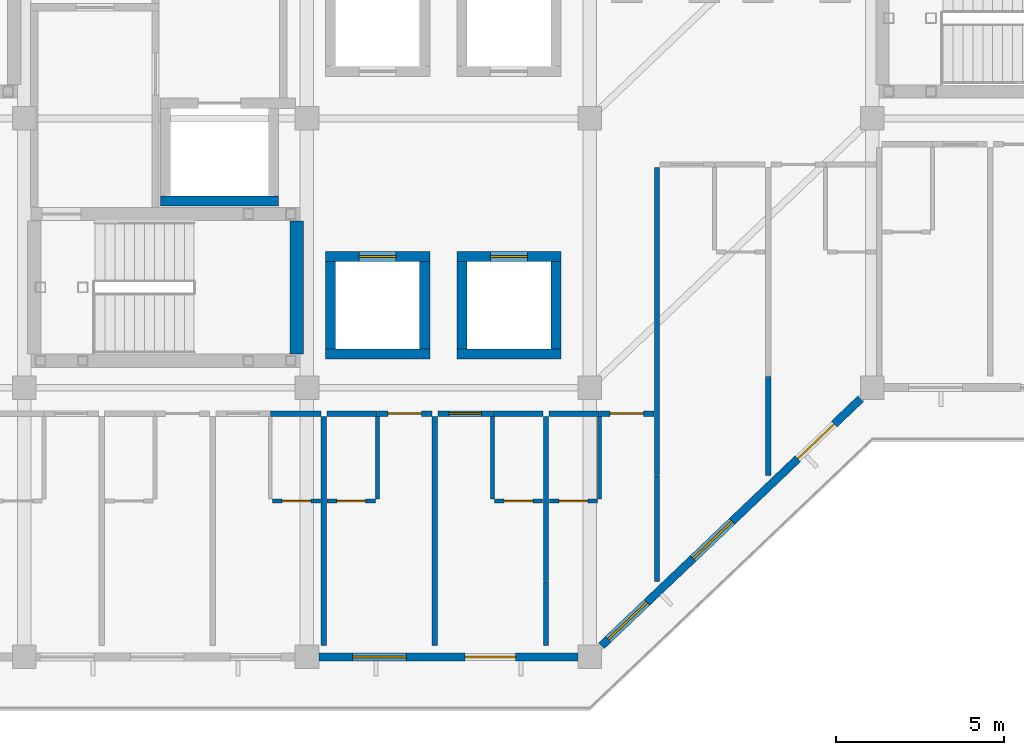
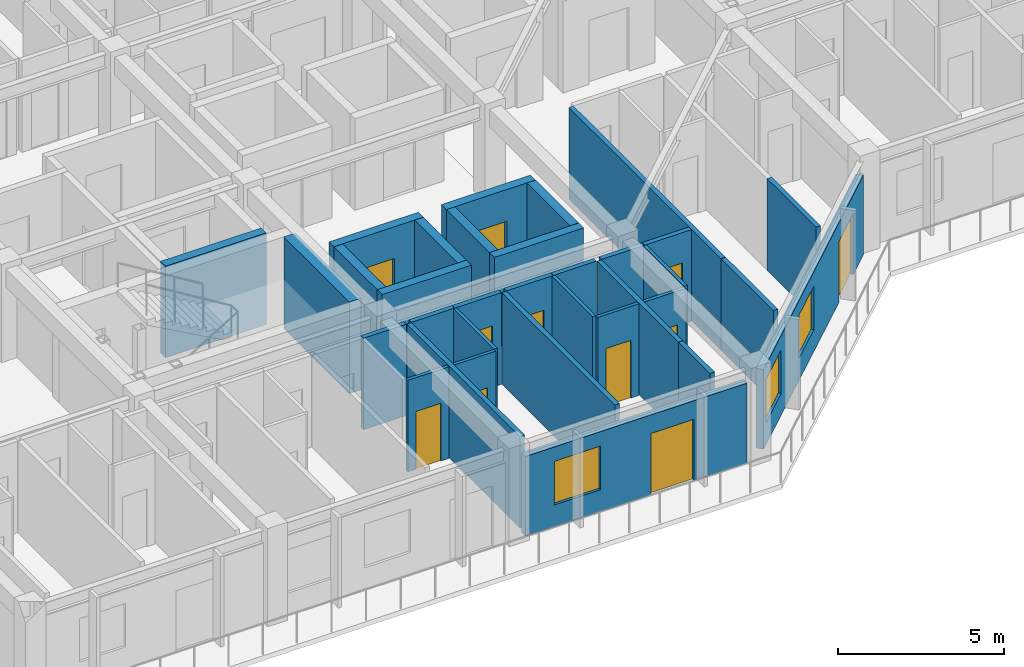
# One storey, part 5 of 16: 33 walls, 11 doors, 3 windows, 14 openings.
"""IFC4 building model written with IfcOpenShell, lengths in metres."""

from ifc_helpers import new_model, si_unit, direction, frame, frame_2d, origin, place, context, subcontext, project, spatial, rectangle, extrude, material, layer, layer_set, type_object, element, fill, save


model = new_model("IFC4")

# Units and contexts
model_context = context("Model", 3, precision=1e-05, world=origin(), true_north=direction((0.0, 1.0)))
body_context = subcontext(model_context, "Body", "Model", "MODEL_VIEW")
ifc_project = project(units=[si_unit("LENGTHUNIT", "METRE"), si_unit("AREAUNIT", "SQUARE_METRE"), si_unit("VOLUMEUNIT", "CUBIC_METRE"), si_unit("PLANEANGLEUNIT", "RADIAN"), si_unit("MASSUNIT", "GRAM", prefix="KILO")], contexts=[model_context])

# Site, building, storey
site_placement = place(None, origin())
site = spatial("IfcSite", under=ifc_project, at=site_placement, CompositionType="ELEMENT")
building_placement = place(site_placement, origin())
building = spatial("IfcBuilding", under=site, at=building_placement, Name="Naruveol Harbour Congress Hotel", CompositionType="ELEMENT")
storey_placement = place(building_placement, frame((0.0, 0.0, 28.800048828125)))
storey = spatial("IfcBuildingStorey", under=building, at=storey_placement, Name="L06", CompositionType="ELEMENT", Elevation=28.800048828125)

# Wall, opening, door
ifc_material_1 = material(Name="Moisture-Resistant Gypsum Partition", Category="gypsum")
ifc_layer_1 = layer(ifc_material_1, 0.114990234375)
ifc_layer_set_1 = layer_set([ifc_layer_1], Name="Moisture-Resistant Gypsum Partition")
wall_type_1 = type_object("IfcWallType", Name="BATHROOM MOISTURE PARTITION WALL 115", PredefinedType="PARTITIONING", material=ifc_layer_set_1)
wall_1_placement = place(storey_placement, frame((133.3701171875, 4.6298828125, 0.0), z_axis=(0.0, 0.0, 1.0), x_axis=(1.0, 0.0, 0.0)))
wall_1 = element("IfcWall", 1, at=wall_1_placement, inside=storey, type_object=wall_type_1, Name="Bathroom south wall 0757 PW-115", PredefinedType="PARTITIONING", context=body_context, shape_type="SweptSolid", body=[
    extrude(rectangle(XDim=1.429931640625, YDim=0.114990234375, at=frame_2d((0.71484375, 0.0))), origin(), (0.0, 0.0, 1.0), 3.364990234375),
])
opening_1_placement = place(wall_1_placement, frame((0.284912109375, 0.0, 0.0)))
opening_1 = element("IfcOpeningElement", 2, at=opening_1_placement, cuts=wall_1, Name="Opening BD-RM0757", PredefinedType="OPENING", context=body_context, shape_type="SweptSolid", body=[
    extrude(rectangle(XDim=0.860107421875, YDim=2.1201171875, at=frame_2d((0.43017578125, 1.06005859375))), frame((0.0, 0.0673828125, 0.0), z_axis=(0.0, -1.0, 0.0), x_axis=(1.0, 0.0, 0.0)), (0.0, 0.0, 1.0), 0.135009765625),
])
ifc_material_2 = material(Name="Timber & Steel Acoustic Leaf", Category="steel")
door_type_1 = type_object("IfcDoorType", Name="GUEST BATHROOM DOOR 860X2120", OperationType="NOTDEFINED", PredefinedType="DOOR", material=ifc_material_2)
door_1_placement = place(opening_1_placement, origin())
door_1 = element("IfcDoor", 3, at=door_1_placement, inside=storey, type_object=door_type_1, Name="Bathroom Door 0757", OperationType="SINGLE_SWING_RIGHT", OverallHeight=2.1201171875, OverallWidth=0.860107421875, PredefinedType="DOOR", context=body_context, shape_type="SweptSolid", body=[
    extrude(rectangle(XDim=0.860107421875, YDim=2.1201171875, at=frame_2d((0.43017578125, 1.06005859375))), frame((0.0, 0.02490234375, 0.0), z_axis=(0.0, -1.0, 0.0), x_axis=(1.0, 0.0, 0.0)), (0.0, 0.0, 1.0), 0.050048828125),
])
fill(opening_1, door_1)

# Wall
wall_2_placement = place(storey_placement, frame((136.489990234375, 4.68994140625, 0.0), z_axis=(0.0, 0.0, 1.0), x_axis=(0.0, 1.0, 0.0)))
element("IfcWall", 4, at=wall_2_placement, inside=storey, type_object=wall_type_1, Name="Bathroom east wall 0758 PW-115", PredefinedType="PARTITIONING", context=body_context, shape_type="SweptSolid", body=[
    extrude(rectangle(XDim=2.449951171875, YDim=0.114990234375, at=frame_2d((1.22509765625, 0.0))), origin(), (0.0, 0.0, 1.0), 3.364990234375),
])

# Wall, opening, door
wall_3_placement = place(storey_placement, frame((135.0, 4.6298828125, 0.0), z_axis=(0.0, 0.0, 1.0), x_axis=(1.0, 0.0, 0.0)))
wall_3 = element("IfcWall", 5, at=wall_3_placement, inside=storey, type_object=wall_type_1, Name="Bathroom south wall 0758 PW-115", PredefinedType="PARTITIONING", context=body_context, shape_type="SweptSolid", body=[
    extrude(rectangle(XDim=1.429931640625, YDim=0.114990234375, at=frame_2d((0.71484375, 0.0))), origin(), (0.0, 0.0, 1.0), 3.364990234375),
])
opening_2_placement = place(wall_3_placement, frame((0.284912109375, 0.0, 0.0)))
opening_2 = element("IfcOpeningElement", 6, at=opening_2_placement, cuts=wall_3, Name="Opening BD-RM0758", PredefinedType="OPENING", context=body_context, shape_type="SweptSolid", body=[
    extrude(rectangle(XDim=0.860107421875, YDim=2.1201171875, at=frame_2d((0.43017578125, 1.06005859375))), frame((0.0, 0.0673828125, 0.0), z_axis=(0.0, -1.0, 0.0), x_axis=(1.0, 0.0, 0.0)), (0.0, 0.0, 1.0), 0.135009765625),
])
door_2_placement = place(opening_2_placement, origin())
door_2 = element("IfcDoor", 7, at=door_2_placement, inside=storey, type_object=door_type_1, Name="Bathroom Door 0758", OperationType="SINGLE_SWING_RIGHT", OverallHeight=2.1201171875, OverallWidth=0.860107421875, PredefinedType="DOOR", context=body_context, shape_type="SweptSolid", body=[
    extrude(rectangle(XDim=0.860107421875, YDim=2.1201171875, at=frame_2d((0.43017578125, 1.06005859375))), frame((0.0, 0.02490234375, 0.0), z_axis=(0.0, -1.0, 0.0), x_axis=(1.0, 0.0, 0.0)), (0.0, 0.0, 1.0), 0.050048828125),
])
fill(opening_2, door_2)

# Wall
wall_4_placement = place(storey_placement, frame((139.909912109375, 4.68994140625, 0.0), z_axis=(0.0, 0.0, 1.0), x_axis=(0.0, 1.0, 0.0)))
element("IfcWall", 8, at=wall_4_placement, inside=storey, type_object=wall_type_1, Name="Bathroom west wall 0759 PW-115", PredefinedType="PARTITIONING", context=body_context, shape_type="SweptSolid", body=[
    extrude(rectangle(XDim=2.449951171875, YDim=0.114990234375, at=frame_2d((1.22509765625, 0.0))), origin(), (0.0, 0.0, 1.0), 3.364990234375),
])

# Wall, opening, door
wall_5_placement = place(storey_placement, frame((139.969970703125, 4.6298828125, 0.0), z_axis=(0.0, 0.0, 1.0), x_axis=(1.0, 0.0, 0.0)))
wall_5 = element("IfcWall", 9, at=wall_5_placement, inside=storey, type_object=wall_type_1, Name="Bathroom south wall 0759 PW-115", PredefinedType="PARTITIONING", context=body_context, shape_type="SweptSolid", body=[
    extrude(rectangle(XDim=1.429931640625, YDim=0.114990234375, at=frame_2d((0.71484375, 0.0))), origin(), (0.0, 0.0, 1.0), 3.364990234375),
])
opening_3_placement = place(wall_5_placement, frame((0.284912109375, 0.0, 0.0)))
opening_3 = element("IfcOpeningElement", 10, at=opening_3_placement, cuts=wall_5, Name="Opening BD-RM0759", PredefinedType="OPENING", context=body_context, shape_type="SweptSolid", body=[
    extrude(rectangle(XDim=0.860107421875, YDim=2.1201171875, at=frame_2d((0.43017578125, 1.06005859375))), frame((0.0, 0.0673828125, 0.0), z_axis=(0.0, -1.0, 0.0), x_axis=(1.0, 0.0, 0.0)), (0.0, 0.0, 1.0), 0.135009765625),
])
door_3_placement = place(opening_3_placement, origin())
door_3 = element("IfcDoor", 11, at=door_3_placement, inside=storey, type_object=door_type_1, Name="Bathroom Door 0759", OperationType="SINGLE_SWING_RIGHT", OverallHeight=2.1201171875, OverallWidth=0.860107421875, PredefinedType="DOOR", context=body_context, shape_type="SweptSolid", body=[
    extrude(rectangle(XDim=0.860107421875, YDim=2.1201171875, at=frame_2d((0.43017578125, 1.06005859375))), frame((0.0, 0.02490234375, 0.0), z_axis=(0.0, -1.0, 0.0), x_axis=(1.0, 0.0, 0.0)), (0.0, 0.0, 1.0), 0.050048828125),
])
fill(opening_3, door_3)

# Wall
wall_6_placement = place(storey_placement, frame((143.090087890625, 4.68994140625, 0.0), z_axis=(0.0, 0.0, 1.0), x_axis=(0.0, 1.0, 0.0)))
element("IfcWall", 12, at=wall_6_placement, inside=storey, type_object=wall_type_1, Name="Bathroom east wall 0760 PW-115", PredefinedType="PARTITIONING", context=body_context, shape_type="SweptSolid", body=[
    extrude(rectangle(XDim=2.449951171875, YDim=0.114990234375, at=frame_2d((1.22509765625, 0.0))), origin(), (0.0, 0.0, 1.0), 3.364990234375),
])

# Wall, opening, door
wall_7_placement = place(storey_placement, frame((141.60009765625, 4.6298828125, 0.0), z_axis=(0.0, 0.0, 1.0), x_axis=(1.0, 0.0, 0.0)))
wall_7 = element("IfcWall", 13, at=wall_7_placement, inside=storey, type_object=wall_type_1, Name="Bathroom south wall 0760 PW-115", PredefinedType="PARTITIONING", context=body_context, shape_type="SweptSolid", body=[
    extrude(rectangle(XDim=1.429931640625, YDim=0.114990234375, at=frame_2d((0.71484375, 0.0))), origin(), (0.0, 0.0, 1.0), 3.364990234375),
])
opening_4_placement = place(wall_7_placement, frame((0.284912109375, 0.0, 0.0)))
opening_4 = element("IfcOpeningElement", 14, at=opening_4_placement, cuts=wall_7, Name="Opening BD-RM0760", PredefinedType="OPENING", context=body_context, shape_type="SweptSolid", body=[
    extrude(rectangle(XDim=0.860107421875, YDim=2.1201171875, at=frame_2d((0.43017578125, 1.06005859375))), frame((0.0, 0.0673828125, 0.0), z_axis=(0.0, -1.0, 0.0), x_axis=(1.0, 0.0, 0.0)), (0.0, 0.0, 1.0), 0.135009765625),
])
door_4_placement = place(opening_4_placement, origin())
door_4 = element("IfcDoor", 15, at=door_4_placement, inside=storey, type_object=door_type_1, Name="Bathroom Door 0760", OperationType="SINGLE_SWING_RIGHT", OverallHeight=2.1201171875, OverallWidth=0.860107421875, PredefinedType="DOOR", context=body_context, shape_type="SweptSolid", body=[
    extrude(rectangle(XDim=0.860107421875, YDim=2.1201171875, at=frame_2d((0.43017578125, 1.06005859375))), frame((0.0, 0.02490234375, 0.0), z_axis=(0.0, -1.0, 0.0), x_axis=(1.0, 0.0, 0.0)), (0.0, 0.0, 1.0), 0.050048828125),
])
fill(opening_4, door_4)

# Walls
ifc_material_3 = material(Name="Autoclaved Aerated Concrete Block", Category="concrete")
ifc_layer_2 = layer(ifc_material_3, 0.159912109375)
ifc_layer_set_2 = layer_set([ifc_layer_2], Name="Autoclaved Aerated Concrete Block")
wall_type_2 = type_object("IfcWallType", Name="HOTEL PARTY AND CORRIDOR WALL 160 EI60", PredefinedType="PARTITIONING", material=ifc_layer_set_2)
for number, where, z_axis, x_axis, name in (
    (16, (133.320068359375, 7.22998046875, 0.0), (0.0, 0.0, 1.0), (1.0, 0.0, 0.0), "Corridor wall 0757B PW-160"),
    (17, (134.989990234375, 7.22998046875, 0.0), (0.0, 0.0, 1.0), (1.0, 0.0, 0.0), "Corridor wall 0758B PW-160"),
):
    element("IfcWall", number, at=place(storey_placement, frame(where, z_axis=z_axis, x_axis=x_axis)), inside=storey, type_object=wall_type_2, Name=name, PredefinedType="PARTITIONING", context=body_context, shape_type="SweptSolid", body=[
        extrude(rectangle(XDim=1.489990234375, YDim=0.159912109375, at=frame_2d((0.7451171875, 0.0))), origin(), (0.0, 0.0, 1.0), 3.364990234375),
    ])

# Wall, opening, door
wall_8_placement = place(storey_placement, frame((136.489990234375, 7.22998046875, 0.0), z_axis=(0.0, 0.0, 1.0), x_axis=(1.0, 0.0, 0.0)))
wall_8 = element("IfcWall", 18, at=wall_8_placement, inside=storey, type_object=wall_type_2, Name="Corridor entry wall 0758 PW-160", PredefinedType="PARTITIONING", context=body_context, shape_type="SweptSolid", body=[
    extrude(rectangle(XDim=1.6201171875, YDim=0.159912109375, at=frame_2d((0.81005859375, 0.0))), origin(), (0.0, 0.0, 1.0), 3.364990234375),
])
opening_5_placement = place(wall_8_placement, frame((0.31005859375, 0.0, 0.0)))
opening_5 = element("IfcOpeningElement", 19, at=opening_5_placement, cuts=wall_8, Name="Opening FD-RM0758", PredefinedType="OPENING", context=body_context, shape_type="SweptSolid", body=[
    extrude(rectangle(XDim=1.0, YDim=2.25, at=frame_2d((0.5, 1.125))), frame((0.0, 0.08984375, 0.0), z_axis=(0.0, -1.0, 0.0), x_axis=(1.0, 0.0, 0.0)), (0.0, 0.0, 1.0), 0.179931640625),
])
ifc_material_4 = material(Name="Timber & Steel Acoustic Leaf", Category="steel")
door_type_2 = type_object("IfcDoorType", Name="DELUXE GUEST ENTRANCE FIRE DOOR 1000X2250", OperationType="NOTDEFINED", PredefinedType="DOOR", material=ifc_material_4)
door_5_placement = place(opening_5_placement, origin())
door_5 = element("IfcDoor", 20, at=door_5_placement, inside=storey, type_object=door_type_2, Name="Hotel Room Door 0758", OperationType="SINGLE_SWING_LEFT", OverallHeight=2.25, OverallWidth=1.0, PredefinedType="DOOR", context=body_context, shape_type="SweptSolid", body=[
    extrude(rectangle(XDim=1.0, YDim=2.25, at=frame_2d((0.5, 1.125))), frame((0.0, 0.02490234375, 0.0), z_axis=(0.0, -1.0, 0.0), x_axis=(1.0, 0.0, 0.0)), (0.0, 0.0, 1.0), 0.050048828125),
])
fill(opening_5, door_5)

# Wall
wall_9_placement = place(storey_placement, frame((134.89990234375, 0.340087890625, 0.0), z_axis=(0.0, 0.0, 1.0), x_axis=(0.0, 1.0, 0.0)))
element("IfcWall", 21, at=wall_9_placement, inside=storey, type_object=wall_type_2, Name="Hotel party wall 0758 PW-160", PredefinedType="PARTITIONING", context=body_context, shape_type="SweptSolid", body=[
    extrude(rectangle(XDim=6.7998046875, YDim=0.159912109375, at=frame_2d((3.39990234375, 0.0))), origin(), (0.0, 0.0, 1.0), 3.364990234375),
])

# Wall, opening, door
wall_10_placement = place(storey_placement, frame((138.2900390625, 7.22998046875, 0.0), z_axis=(0.0, 0.0, 1.0), x_axis=(1.0, 0.0, 0.0)))
wall_10 = element("IfcWall", 22, at=wall_10_placement, inside=storey, type_object=wall_type_2, Name="Corridor entry wall 0759 PW-160", PredefinedType="PARTITIONING", context=body_context, shape_type="SweptSolid", body=[
    extrude(rectangle(XDim=1.619873046875, YDim=0.159912109375, at=frame_2d((0.81005859375, 0.0))), origin(), (0.0, 0.0, 1.0), 3.364990234375),
])
opening_6_placement = place(wall_10_placement, frame((0.330078125, 0.0, 0.0)))
opening_6 = element("IfcOpeningElement", 23, at=opening_6_placement, cuts=wall_10, Name="Opening FD-RM0759", PredefinedType="OPENING", context=body_context, shape_type="SweptSolid", body=[
    extrude(rectangle(XDim=0.9599609375, YDim=2.199951171875, at=frame_2d((0.47998046875, 1.10009765625))), frame((0.0, 0.08984375, 0.0), z_axis=(0.0, -1.0, 0.0), x_axis=(1.0, 0.0, 0.0)), (0.0, 0.0, 1.0), 0.179931640625),
])
ifc_material_5 = material(Name="Timber & Steel Acoustic Leaf", Category="steel")
door_type_3 = type_object("IfcDoorType", Name="GUEST ROOM ENTRANCE FIRE DOOR 960X2200", OperationType="NOTDEFINED", PredefinedType="DOOR", material=ifc_material_5)
door_6_placement = place(opening_6_placement, origin())
door_6 = element("IfcDoor", 24, at=door_6_placement, inside=storey, type_object=door_type_3, Name="Hotel Room Door 0759", OperationType="SINGLE_SWING_LEFT", OverallHeight=2.199951171875, OverallWidth=0.9599609375, PredefinedType="DOOR", context=body_context, shape_type="SweptSolid", body=[
    extrude(rectangle(XDim=0.9599609375, YDim=2.199951171875, at=frame_2d((0.47998046875, 1.10009765625))), frame((0.0, 0.02490234375, 0.0), z_axis=(0.0, -1.0, 0.0), x_axis=(1.0, 0.0, 0.0)), (0.0, 0.0, 1.0), 0.050048828125),
])
fill(opening_6, door_6)

# Walls
wall_11_placement = place(storey_placement, frame((139.919921875, 7.22998046875, 0.0), z_axis=(0.0, 0.0, 1.0), x_axis=(1.0, 0.0, 0.0)))
element("IfcWall", 25, at=wall_11_placement, inside=storey, type_object=wall_type_2, Name="Corridor wall 0759B PW-160", PredefinedType="PARTITIONING", context=body_context, shape_type="SweptSolid", body=[
    extrude(rectangle(XDim=1.489990234375, YDim=0.159912109375, at=frame_2d((0.7451171875, 0.0))), origin(), (0.0, 0.0, 1.0), 3.364990234375),
])
wall_12_placement = place(storey_placement, frame((138.199951171875, 0.340087890625, 0.0), z_axis=(0.0, 0.0, 1.0), x_axis=(0.0, 1.0, 0.0)))
element("IfcWall", 26, at=wall_12_placement, inside=storey, type_object=wall_type_2, Name="Hotel party wall 0759 PW-160", PredefinedType="PARTITIONING", context=body_context, shape_type="SweptSolid", body=[
    extrude(rectangle(XDim=6.7998046875, YDim=0.159912109375, at=frame_2d((3.39990234375, 0.0))), origin(), (0.0, 0.0, 1.0), 3.364990234375),
])
wall_13_placement = place(storey_placement, frame((141.5, 0.340087890625, 0.0), z_axis=(0.0, 0.0, 1.0), x_axis=(0.0, 1.0, 0.0)))
element("IfcWall", 27, at=wall_13_placement, inside=storey, type_object=wall_type_2, Name="Hotel end party wall 0759 PW-160", PredefinedType="PARTITIONING", context=body_context, shape_type="SweptSolid", body=[
    extrude(rectangle(XDim=1.889892578125, YDim=0.159912109375, at=frame_2d((0.94482421875, 0.0))), origin(), (0.0, 0.0, 1.0), 3.364990234375),
])
wall_14_placement = place(storey_placement, frame((141.590087890625, 7.22998046875, 0.0), z_axis=(0.0, 0.0, 1.0), x_axis=(1.0, 0.0, 0.0)))
element("IfcWall", 28, at=wall_14_placement, inside=storey, type_object=wall_type_2, Name="Corridor wall 0760B PW-160", PredefinedType="PARTITIONING", context=body_context, shape_type="SweptSolid", body=[
    extrude(rectangle(XDim=1.489990234375, YDim=0.159912109375, at=frame_2d((0.7451171875, 0.0))), origin(), (0.0, 0.0, 1.0), 3.364990234375),
])

# Wall, opening, door
wall_15_placement = place(storey_placement, frame((143.090087890625, 7.22998046875, 0.0), z_axis=(0.0, 0.0, 1.0), x_axis=(1.0, 0.0, 0.0)))
wall_15 = element("IfcWall", 29, at=wall_15_placement, inside=storey, type_object=wall_type_2, Name="Corridor entry wall 0760 PW-160", PredefinedType="PARTITIONING", context=body_context, shape_type="SweptSolid", body=[
    extrude(rectangle(XDim=1.619873046875, YDim=0.159912109375, at=frame_2d((0.81005859375, 0.0))), origin(), (0.0, 0.0, 1.0), 3.364990234375),
])
opening_7_placement = place(wall_15_placement, frame((0.31005859375, 0.0, 0.0)))
opening_7 = element("IfcOpeningElement", 30, at=opening_7_placement, cuts=wall_15, Name="Opening FD-RM0760", PredefinedType="OPENING", context=body_context, shape_type="SweptSolid", body=[
    extrude(rectangle(XDim=1.0, YDim=2.25, at=frame_2d((0.5, 1.125))), frame((0.0, 0.08984375, 0.0), z_axis=(0.0, -1.0, 0.0), x_axis=(1.0, 0.0, 0.0)), (0.0, 0.0, 1.0), 0.179931640625),
])
door_7_placement = place(opening_7_placement, origin())
door_7 = element("IfcDoor", 31, at=door_7_placement, inside=storey, type_object=door_type_2, Name="Hotel Room Door 0760", OperationType="SINGLE_SWING_LEFT", OverallHeight=2.25, OverallWidth=1.0, PredefinedType="DOOR", context=body_context, shape_type="SweptSolid", body=[
    extrude(rectangle(XDim=1.0, YDim=2.25, at=frame_2d((0.5, 1.125))), frame((0.0, 0.02490234375, 0.0), z_axis=(0.0, -1.0, 0.0), x_axis=(1.0, 0.0, 0.0)), (0.0, 0.0, 1.0), 0.050048828125),
])
fill(opening_7, door_7)

# Walls
wall_16_placement = place(storey_placement, frame((141.5, 2.239990234375, 0.0), z_axis=(0.0, 0.0, 1.0), x_axis=(0.0, 1.0, 0.0)))
element("IfcWall", 32, at=wall_16_placement, inside=storey, type_object=wall_type_2, Name="Hotel party wall 0760 PW-160", PredefinedType="PARTITIONING", context=body_context, shape_type="SweptSolid", body=[
    extrude(rectangle(XDim=4.89990234375, YDim=0.159912109375, at=frame_2d((2.449951171875, 0.0))), origin(), (0.0, 0.0, 1.0), 3.364990234375),
])
wall_17_placement = place(storey_placement, frame((144.800048828125, 2.239990234375, 0.0), z_axis=(0.0, 0.0, 1.0), x_axis=(0.0, 1.0, 0.0)))
element("IfcWall", 33, at=wall_17_placement, inside=storey, type_object=wall_type_2, Name="Hotel end party wall 0760 PW-160", PredefinedType="PARTITIONING", context=body_context, shape_type="SweptSolid", body=[
    extrude(rectangle(XDim=3.139892578125, YDim=0.159912109375, at=frame_2d((1.56982421875, 0.0))), origin(), (0.0, 0.0, 1.0), 3.364990234375),
])
wall_18_placement = place(storey_placement, frame((144.800048828125, 5.389892578125, 0.0), z_axis=(0.0, 0.0, 1.0), x_axis=(0.0, 1.0, 0.0)))
element("IfcWall", 34, at=wall_18_placement, inside=storey, type_object=wall_type_2, Name="Hotel party wall 0761 PW-160", PredefinedType="PARTITIONING", context=body_context, shape_type="SweptSolid", body=[
    extrude(rectangle(XDim=9.150146484375, YDim=0.159912109375, at=frame_2d((4.5751953125, 0.0))), origin(), (0.0, 0.0, 1.0), 3.364990234375),
])
wall_19_placement = place(storey_placement, frame((148.10009765625, 5.389892578125, 0.0), z_axis=(0.0, 0.0, 1.0), x_axis=(0.0, 1.0, 0.0)))
element("IfcWall", 35, at=wall_19_placement, inside=storey, type_object=wall_type_2, Name="Hotel end party wall 0761 PW-160", PredefinedType="PARTITIONING", context=body_context, shape_type="SweptSolid", body=[
    extrude(rectangle(XDim=2.940185546875, YDim=0.159912109375, at=frame_2d((1.47021484375, 0.0))), origin(), (0.0, 0.0, 1.0), 3.364990234375),
])

# Wall, openings, window, door
ifc_material_6 = material(Name="Concrete C40/50", Category="concrete")
ifc_layer_3 = layer(ifc_material_6, 0.239990234375)
ifc_layer_set_3 = layer_set([ifc_layer_3], Name="Concrete C40/50")
wall_type_3 = type_object("IfcWallType", Name="INSULATED HOTEL SPANDREL WALL 240", PredefinedType="SOLIDWALL", material=ifc_layer_set_3)
wall_20_placement = place(storey_placement, frame((142.449951171875, 0.0, 0.0), z_axis=(0.0, 0.0, 1.0), x_axis=(-1.0, 0.0, 0.0)))
wall_20 = element("IfcWall", 36, at=wall_20_placement, inside=storey, type_object=wall_type_3, Name="Hotel south waterfront wall L06 EW-240", PredefinedType="SOLIDWALL", context=body_context, shape_type="SweptSolid", body=[
    extrude(rectangle(XDim=7.699951171875, YDim=0.239990234375, at=frame_2d((3.85009765625, 0.0))), origin(), (0.0, 0.0, 1.0), 2.929931640625),
])
opening_8_placement = place(wall_20_placement, frame((1.85009765625, 0.0, 0.0)))
opening_8 = element("IfcOpeningElement", 37, at=opening_8_placement, cuts=wall_20, Name="Opening BD-150-048", PredefinedType="OPENING", context=body_context, shape_type="SweptSolid", body=[
    extrude(rectangle(XDim=1.5, YDim=2.25, at=frame_2d((0.75, 1.125))), frame((0.0, 0.1298828125, 0.0), z_axis=(0.0, -1.0, 0.0), x_axis=(1.0, 0.0, 0.0)), (0.0, 0.0, 1.0), 0.260009765625),
])
opening_9_placement = place(wall_20_placement, frame((5.10009765625, 0.0, 0.800048828125)))
opening_9 = element("IfcOpeningElement", 38, at=opening_9_placement, cuts=wall_20, Name="Opening W-03", PredefinedType="OPENING", context=body_context, shape_type="SweptSolid", body=[
    extrude(rectangle(XDim=1.60009765625, YDim=1.60009765625, at=frame_2d((0.800048828125, 0.800048828125))), frame((0.0, 0.1298828125, 0.0), z_axis=(0.0, -1.0, 0.0), x_axis=(1.0, 0.0, 0.0)), (0.0, 0.0, 1.0), 0.260009765625),
])
ifc_material_7 = material(Name="Low-E Triple Glazing in Thermal Aluminium", Category="aluminium")
window_type = type_object("IfcWindowType", Name="DELUXE GUEST WINDOW 1600X1600", PartitioningType="SINGLE_PANEL", PredefinedType="WINDOW", material=ifc_material_7)
window_1_placement = place(opening_9_placement, origin())
window_1 = element("IfcWindow", 39, at=window_1_placement, inside=storey, type_object=window_type, Name="Window W-03 #354", OverallHeight=1.60009765625, OverallWidth=1.60009765625, PartitioningType="SINGLE_PANEL", PredefinedType="WINDOW", context=body_context, shape_type="SweptSolid", body=[
    extrude(rectangle(XDim=1.60009765625, YDim=1.60009765625, at=frame_2d((0.800048828125, 0.800048828125))), frame((0.0, 0.030029296875, 0.0), z_axis=(0.0, -1.0, 0.0), x_axis=(1.0, 0.0, 0.0)), (0.0, 0.0, 1.0), 0.06005859375),
])
fill(opening_9, window_1)
ifc_material_8 = material(Name="Powder-Coated Steel & Insulated Glazing", Category="steel")
door_type_4 = type_object("IfcDoorType", Name="SUITE BALCONY SLIDING DOOR 1500X2250", OperationType="SLIDING_TO_LEFT", PredefinedType="DOOR", material=ifc_material_8)
door_8_placement = place(opening_8_placement, origin())
door_8 = element("IfcDoor", 40, at=door_8_placement, inside=storey, type_object=door_type_4, Name="Exterior door BD-150-048", OperationType="SLIDING_TO_LEFT", OverallHeight=2.25, OverallWidth=1.5, PredefinedType="DOOR", context=body_context, shape_type="SweptSolid", body=[
    extrude(rectangle(XDim=1.5, YDim=2.25, at=frame_2d((0.75, 1.125))), frame((0.0, 0.02490234375, 0.0), z_axis=(0.0, -1.0, 0.0), x_axis=(1.0, 0.0, 0.0)), (0.0, 0.0, 1.0), 0.050048828125),
])
fill(opening_8, door_8)

# Wall, openings, windows, door
wall_21_placement = place(storey_placement, frame((150.85009765625, 7.6669921875, 0.0), z_axis=(0.0, 0.0, 1.0), x_axis=(-0.724116091282, -0.689678103427, 0.0)))
wall_21 = element("IfcWall", 41, at=wall_21_placement, inside=storey, type_object=wall_type_3, Name="Hotel south waterfront wall L06 EW-240", PredefinedType="SOLIDWALL", context=body_context, shape_type="SweptSolid", body=[
    extrude(rectangle(XDim=10.634033203125, YDim=0.239990234375, at=frame_2d((5.31689453125, 0.0))), origin(), (0.0, 0.0, 1.0), 2.929931640625),
])
opening_10_placement = place(wall_21_placement, frame((1.080078125, 0.0, 0.0)))
opening_10 = element("IfcOpeningElement", 42, at=opening_10_placement, cuts=wall_21, Name="Opening BD-150-049", PredefinedType="OPENING", context=body_context, shape_type="SweptSolid", body=[
    extrude(rectangle(XDim=1.5, YDim=2.25, at=frame_2d((0.75, 1.125))), frame((0.0, 0.1298828125, 0.0), z_axis=(0.0, -1.0, 0.0), x_axis=(1.0, 0.0, 0.0)), (0.0, 0.0, 1.0), 0.260009765625),
])
opening_11_placement = place(wall_21_placement, frame((5.27587890625, 0.0, 0.800048828125)))
opening_11 = element("IfcOpeningElement", 43, at=opening_11_placement, cuts=wall_21, Name="Opening W-03", PredefinedType="OPENING", context=body_context, shape_type="SweptSolid", body=[
    extrude(rectangle(XDim=1.60009765625, YDim=1.60009765625, at=frame_2d((0.800048828125, 0.800048828125))), frame((0.0, 0.1298828125, 0.0), z_axis=(0.0, -1.0, 0.0), x_axis=(1.0, 0.0, 0.0)), (0.0, 0.0, 1.0), 0.260009765625),
])
opening_12_placement = place(wall_21_placement, frame((8.763916015625, 0.0, 0.800048828125)))
opening_12 = element("IfcOpeningElement", 44, at=opening_12_placement, cuts=wall_21, Name="Opening W-03", PredefinedType="OPENING", context=body_context, shape_type="SweptSolid", body=[
    extrude(rectangle(XDim=1.60009765625, YDim=1.60009765625, at=frame_2d((0.800048828125, 0.800048828125))), frame((0.0, 0.1298828125, 0.0), z_axis=(0.0, -1.0, 0.0), x_axis=(1.0, 0.0, 0.0)), (0.0, 0.0, 1.0), 0.260009765625),
])
window_2_placement = place(opening_11_placement, origin())
window_2 = element("IfcWindow", 45, at=window_2_placement, inside=storey, type_object=window_type, Name="Window W-03 #357", OverallHeight=1.60009765625, OverallWidth=1.60009765625, PartitioningType="SINGLE_PANEL", PredefinedType="WINDOW", context=body_context, shape_type="SweptSolid", body=[
    extrude(rectangle(XDim=1.60009765625, YDim=1.60009765625, at=frame_2d((0.800048828125, 0.800048828125))), frame((0.0, 0.030029296875, 0.0), z_axis=(0.0, -1.0, 0.0), x_axis=(1.0, 0.0, 0.0)), (0.0, 0.0, 1.0), 0.06005859375),
])
fill(opening_11, window_2)
window_3_placement = place(opening_12_placement, origin())
window_3 = element("IfcWindow", 46, at=window_3_placement, inside=storey, type_object=window_type, Name="Window W-03 #358", OverallHeight=1.60009765625, OverallWidth=1.60009765625, PartitioningType="SINGLE_PANEL", PredefinedType="WINDOW", context=body_context, shape_type="SweptSolid", body=[
    extrude(rectangle(XDim=1.60009765625, YDim=1.60009765625, at=frame_2d((0.800048828125, 0.800048828125))), frame((0.0, 0.030029296875, 0.0), z_axis=(0.0, -1.0, 0.0), x_axis=(1.0, 0.0, 0.0)), (0.0, 0.0, 1.0), 0.06005859375),
])
fill(opening_12, window_3)
door_9_placement = place(opening_10_placement, origin())
door_9 = element("IfcDoor", 47, at=door_9_placement, inside=storey, type_object=door_type_4, Name="Exterior door BD-150-049", OperationType="SLIDING_TO_LEFT", OverallHeight=2.25, OverallWidth=1.5, PredefinedType="DOOR", context=body_context, shape_type="SweptSolid", body=[
    extrude(rectangle(XDim=1.5, YDim=2.25, at=frame_2d((0.75, 1.125))), frame((0.0, 0.02490234375, 0.0), z_axis=(0.0, -1.0, 0.0), x_axis=(1.0, 0.0, 0.0)), (0.0, 0.0, 1.0), 0.050048828125),
])
fill(opening_10, door_9)

# Walls
ifc_material_9 = material(Name="Concrete C50/60", Category="concrete")
ifc_layer_4 = layer(ifc_material_9, 0.39990234375)
ifc_layer_set_4 = layer_set([ifc_layer_4], Name="Concrete C50/60")
wall_type_4 = type_object("IfcWallType", Name="RC CORE SHEAR WALL 400 EI120", PredefinedType="SHEAR", material=ifc_layer_set_4)
wall_22_placement = place(storey_placement, frame((134.10009765625, 9.0048828125, 0.0), z_axis=(0.0, 0.0, 1.0), x_axis=(0.0, 1.0, 0.0)))
element("IfcWall", 48, at=wall_22_placement, inside=storey, type_object=wall_type_4, Name="Stair ST1 east core wall CW-400", PredefinedType="SHEAR", context=body_context, shape_type="SweptSolid", body=[
    extrude(rectangle(XDim=3.9501953125, YDim=0.39990234375, at=frame_2d((1.97509765625, 0.0))), origin(), (0.0, 0.0, 1.0), 3.364990234375),
])
ifc_material_10 = material(Name="Concrete C50/60", Category="concrete")
ifc_layer_5 = layer(ifc_material_10, 0.300048828125)
ifc_layer_set_5 = layer_set([ifc_layer_5], Name="Concrete C50/60")
wall_type_5 = type_object("IfcWallType", Name="RC STAIR AND HOISTWAY SHEAR WALL 300 EI120", PredefinedType="SHEAR", material=ifc_layer_set_5)
wall_23_placement = place(storey_placement, frame((134.949951171875, 9.0, 0.0), z_axis=(0.0, 0.0, 1.0), x_axis=(1.0, 0.0, 0.0)))
element("IfcWall", 49, at=wall_23_placement, inside=storey, type_object=wall_type_5, Name="Hoistway south shear wall PL3 SW-300", PredefinedType="SHEAR", context=body_context, shape_type="SweptSolid", body=[
    extrude(rectangle(XDim=3.10009765625, YDim=0.300048828125, at=frame_2d((1.550048828125, 0.0))), origin(), (0.0, 0.0, 1.0), 3.364990234375),
])
wall_24_placement = place(storey_placement, frame((137.89990234375, 9.155029296875, 0.0), z_axis=(0.0, 0.0, 1.0), x_axis=(0.0, 1.0, 0.0)))
element("IfcWall", 50, at=wall_24_placement, inside=storey, type_object=wall_type_5, Name="Hoistway east shear wall PL3 SW-300", PredefinedType="SHEAR", context=body_context, shape_type="SweptSolid", body=[
    extrude(rectangle(XDim=2.590087890625, YDim=0.300048828125, at=frame_2d((1.294921875, 0.0))), origin(), (0.0, 0.0, 1.0), 3.364990234375),
])

# Wall, opening, door
wall_25_placement = place(storey_placement, frame((138.050048828125, 11.89990234375, 0.0), z_axis=(0.0, 0.0, 1.0), x_axis=(-1.0, 0.0, 0.0)))
wall_25 = element("IfcWall", 51, at=wall_25_placement, inside=storey, type_object=wall_type_5, Name="Hoistway north shear wall PL3 SW-300", PredefinedType="SHEAR", context=body_context, shape_type="SweptSolid", body=[
    extrude(rectangle(XDim=3.10009765625, YDim=0.300048828125, at=frame_2d((1.550048828125, 0.0))), origin(), (0.0, 0.0, 1.0), 3.364990234375),
])
opening_13_placement = place(wall_25_placement, frame((1.0, 0.0, 0.0)))
opening_13 = element("IfcOpeningElement", 52, at=opening_13_placement, cuts=wall_25, Name="Opening LD-PL3-L06", PredefinedType="OPENING", context=body_context, shape_type="SweptSolid", body=[
    extrude(rectangle(XDim=1.10009765625, YDim=2.199951171875, at=frame_2d((0.550048828125, 1.10009765625))), frame((0.0, 0.159912109375, 0.0), z_axis=(0.0, -1.0, 0.0), x_axis=(1.0, 0.0, 0.0)), (0.0, 0.0, 1.0), 0.320068359375),
])
ifc_material_11 = material(Name="Stainless Steel Lift Door", Category="steel")
door_type_5 = type_object("IfcDoorType", Name="PASSENGER LIFT LANDING DOOR 1100X2200", OperationType="DOUBLE_DOOR_SLIDING", PredefinedType="DOOR", material=ifc_material_11)
door_10_placement = place(opening_13_placement, origin())
door_10 = element("IfcDoor", 53, at=door_10_placement, inside=storey, type_object=door_type_5, Name="Elevator Landing Door PL3 L06", OperationType="DOUBLE_DOOR_SLIDING", OverallHeight=2.199951171875, OverallWidth=1.10009765625, PredefinedType="DOOR", context=body_context, shape_type="SweptSolid", body=[
    extrude(rectangle(XDim=1.10009765625, YDim=2.199951171875, at=frame_2d((0.550048828125, 1.10009765625))), frame((0.0, 0.02490234375, 0.0), z_axis=(0.0, -1.0, 0.0), x_axis=(1.0, 0.0, 0.0)), (0.0, 0.0, 1.0), 0.050048828125),
])
fill(opening_13, door_10)

# Walls
wall_26_placement = place(storey_placement, frame((135.10009765625, 11.7451171875, 0.0), z_axis=(0.0, 0.0, 1.0), x_axis=(0.0, -1.0, 0.0)))
element("IfcWall", 54, at=wall_26_placement, inside=storey, type_object=wall_type_5, Name="Hoistway west shear wall PL3 SW-300", PredefinedType="SHEAR", context=body_context, shape_type="SweptSolid", body=[
    extrude(rectangle(XDim=2.590087890625, YDim=0.300048828125, at=frame_2d((1.294921875, 0.0))), origin(), (0.0, 0.0, 1.0), 3.364990234375),
])
wall_27_placement = place(storey_placement, frame((138.85009765625, 9.0, 0.0), z_axis=(0.0, 0.0, 1.0), x_axis=(1.0, 0.0, 0.0)))
element("IfcWall", 55, at=wall_27_placement, inside=storey, type_object=wall_type_5, Name="Hoistway south shear wall PL4 SW-300", PredefinedType="SHEAR", context=body_context, shape_type="SweptSolid", body=[
    extrude(rectangle(XDim=3.099853515625, YDim=0.300048828125, at=frame_2d((1.5498046875, 0.0))), origin(), (0.0, 0.0, 1.0), 3.364990234375),
])
wall_28_placement = place(storey_placement, frame((141.800048828125, 9.155029296875, 0.0), z_axis=(0.0, 0.0, 1.0), x_axis=(0.0, 1.0, 0.0)))
element("IfcWall", 56, at=wall_28_placement, inside=storey, type_object=wall_type_5, Name="Hoistway east shear wall PL4 SW-300", PredefinedType="SHEAR", context=body_context, shape_type="SweptSolid", body=[
    extrude(rectangle(XDim=2.590087890625, YDim=0.300048828125, at=frame_2d((1.294921875, 0.0))), origin(), (0.0, 0.0, 1.0), 3.364990234375),
])

# Wall, opening, door
wall_29_placement = place(storey_placement, frame((141.949951171875, 11.89990234375, 0.0), z_axis=(0.0, 0.0, 1.0), x_axis=(-1.0, 0.0, 0.0)))
wall_29 = element("IfcWall", 57, at=wall_29_placement, inside=storey, type_object=wall_type_5, Name="Hoistway north shear wall PL4 SW-300", PredefinedType="SHEAR", context=body_context, shape_type="SweptSolid", body=[
    extrude(rectangle(XDim=3.099853515625, YDim=0.300048828125, at=frame_2d((1.5498046875, 0.0))), origin(), (0.0, 0.0, 1.0), 3.364990234375),
])
opening_14_placement = place(wall_29_placement, frame((1.0, 0.0, 0.0)))
opening_14 = element("IfcOpeningElement", 58, at=opening_14_placement, cuts=wall_29, Name="Opening LD-PL4-L06", PredefinedType="OPENING", context=body_context, shape_type="SweptSolid", body=[
    extrude(rectangle(XDim=1.10009765625, YDim=2.199951171875, at=frame_2d((0.550048828125, 1.10009765625))), frame((0.0, 0.159912109375, 0.0), z_axis=(0.0, -1.0, 0.0), x_axis=(1.0, 0.0, 0.0)), (0.0, 0.0, 1.0), 0.320068359375),
])
door_11_placement = place(opening_14_placement, origin())
door_11 = element("IfcDoor", 59, at=door_11_placement, inside=storey, type_object=door_type_5, Name="Elevator Landing Door PL4 L06", OperationType="DOUBLE_DOOR_SLIDING", OverallHeight=2.199951171875, OverallWidth=1.10009765625, PredefinedType="DOOR", context=body_context, shape_type="SweptSolid", body=[
    extrude(rectangle(XDim=1.10009765625, YDim=2.199951171875, at=frame_2d((0.550048828125, 1.10009765625))), frame((0.0, 0.02490234375, 0.0), z_axis=(0.0, -1.0, 0.0), x_axis=(1.0, 0.0, 0.0)), (0.0, 0.0, 1.0), 0.050048828125),
])
fill(opening_14, door_11)

# Walls
wall_30_placement = place(storey_placement, frame((139.0, 11.7451171875, 0.0), z_axis=(0.0, 0.0, 1.0), x_axis=(0.0, -1.0, 0.0)))
element("IfcWall", 60, at=wall_30_placement, inside=storey, type_object=wall_type_5, Name="Hoistway west shear wall PL4 SW-300", PredefinedType="SHEAR", context=body_context, shape_type="SweptSolid", body=[
    extrude(rectangle(XDim=2.590087890625, YDim=0.300048828125, at=frame_2d((1.294921875, 0.0))), origin(), (0.0, 0.0, 1.0), 3.364990234375),
])
wall_31_placement = place(storey_placement, frame((130.050048828125, 13.550048828125, 0.0), z_axis=(0.0, 0.0, 1.0), x_axis=(1.0, 0.0, 0.0)))
element("IfcWall", 61, at=wall_31_placement, inside=storey, type_object=wall_type_5, Name="Hoistway south shear wall FL1 SW-300", PredefinedType="SHEAR", context=body_context, shape_type="SweptSolid", body=[
    extrude(rectangle(XDim=3.5, YDim=0.300048828125, at=frame_2d((1.75, 0.0))), origin(), (0.0, 0.0, 1.0), 3.364990234375),
])

save(model, "model.ifc")
